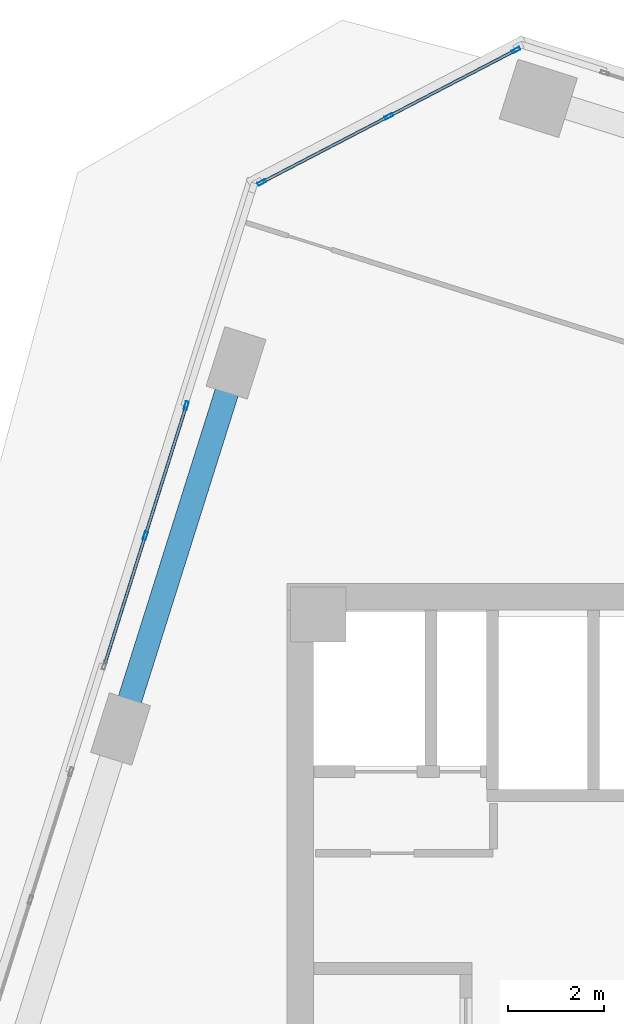
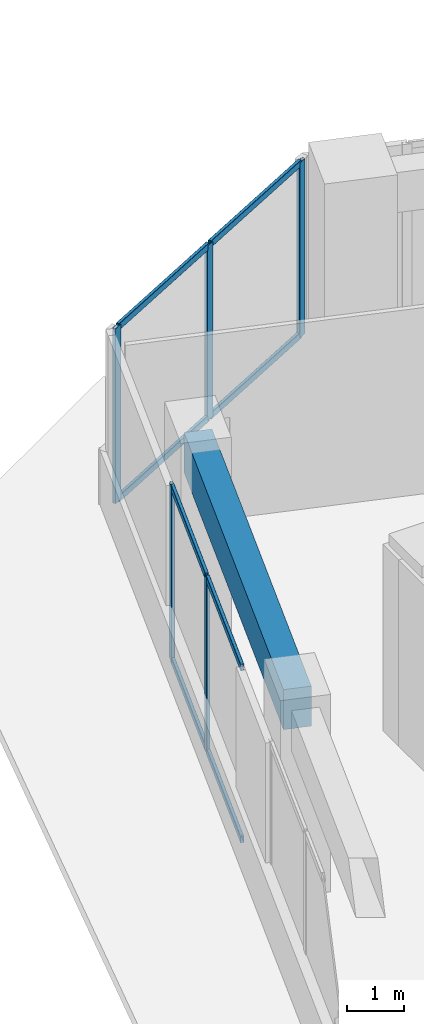
# One storey, part 13 of 28: 13 members, 1 beam, 2 elements without a shape of their own.
"""IFC4 building model written with IfcOpenShell, lengths in metres."""

from ifc_helpers import new_model, si_unit, direction, frame, origin, origin_2d, place, context, subcontext, project, spatial, rectangle, hollow_rectangle, extrude, source, transform, mapped, material, material_profile, profile_set, type_object, element, aggregate, save


model = new_model("IFC4")

# Units and contexts
model_context = context("Model", 3, precision=1e-05, world=origin(), true_north=direction((0.0, 1.0)))
body_context = subcontext(model_context, "Body", "Model", "MODEL_VIEW")
ifc_project = project(units=[si_unit("LENGTHUNIT", "METRE"), si_unit("AREAUNIT", "SQUARE_METRE"), si_unit("VOLUMEUNIT", "CUBIC_METRE"), si_unit("PLANEANGLEUNIT", "RADIAN"), si_unit("MASSUNIT", "GRAM", prefix="KILO")], contexts=[model_context])

# Site, building, storey
site_placement = place(None, origin())
site = spatial("IfcSite", under=ifc_project, at=site_placement, CompositionType="ELEMENT")
building_placement = place(site_placement, origin())
building = spatial("IfcBuilding", under=site, at=building_placement, Name="Torre Montelarca", CompositionType="ELEMENT")
storey_placement = place(building_placement, frame((0.0, 0.0, 112.60009765625)))
storey = spatial("IfcBuildingStorey", under=building, at=storey_placement, Name="L25", CompositionType="ELEMENT", Elevation=112.60009765625)

# Beam
ifc_material_1 = material(Name="Concrete C55/67", Category="concrete")
ifc_material_profile_1 = material_profile(ifc_material_1, rectangle(XDim=0.5, YDim=0.85009765625, at=origin_2d()), Name="RCB500X850", Category="concrete")
ifc_profile_set_1 = profile_set([ifc_material_profile_1], Name="Concrete C55/67")
beam_type = type_object("IfcBeamType", Name="BM-SP-RC850-EXT", PredefinedType="SPANDREL", material=ifc_profile_set_1)
shared_shape_1 = source(origin(), body_context, "Body", "SweptSolid", [
    extrude(rectangle(XDim=0.5, YDim=0.85009765625, at=origin_2d()), origin(), (0.0, 0.0, 1.0), 7.999755859375),
])
beam_placement = place(storey_placement, frame((5.429931640625, 37.06689453125, 3.534912109375), z_axis=(0.300694628035, 0.953720473027, 0.0), x_axis=(-0.953720473027, 0.300694628035, 0.0)))
element("IfcBeam", 1, at=beam_placement, inside=storey, type_object=beam_type, Name="L25 Grid Girder Y 32.0-40.0 at X=4.7", PredefinedType="SPANDREL", context=body_context, shape_type="MappedRepresentation", body=[
    mapped(shared_shape_1, transform((0.0, 0.0, 0.0), scale=1.0)),
])

# Curtain wall, members
ifc_material_2 = material(Name="Insulated low-E laminated glass", Category="glass")
curtain_wall_type = type_object("IfcCurtainWallType", Name="CW-SYS-Z1", PredefinedType="USERDEFINED", material=ifc_material_2)
curtain_wall_1_placement = place(storey_placement, origin())
curtain_wall_1 = element("IfcCurtainWall", 2, at=curtain_wall_1_placement, inside=storey, type_object=curtain_wall_type, Name="L25 Curtain Wall Run CW-T3-L25-E09-B1", ObjectType="UNITISED GLAZING", PredefinedType="USERDEFINED")
ifc_material_3 = material(Name="Anodised aluminium AA 6063-T6", Category="aluminium")
ifc_material_profile_2 = material_profile(ifc_material_3, hollow_rectangle(XDim=0.06494140625, YDim=0.139892578125, WallThickness=0.00390625, InnerFilletRadius=0.00390625, OuterFilletRadius=0.008056640625, at=origin_2d()), Name="ALU65X140X4", Category="aluminium")
ifc_profile_set_2 = profile_set([ifc_material_profile_2], Name="Anodised aluminium AA 6063-T6")
member_type_1 = type_object("IfcMemberType", Name="CWT-ALU140", PredefinedType="USERDEFINED", material=ifc_profile_set_2)
shared_shape_2 = source(origin(), body_context, "Body", "SweptSolid", [
    extrude(hollow_rectangle(XDim=0.06494140625, YDim=0.139892578125, WallThickness=0.00390625, InnerFilletRadius=0.00390625, OuterFilletRadius=0.008056640625, at=origin_2d()), origin(), (0.0, 0.0, 1.0), 2.918701171875),
])
member_1_placement = place(storey_placement, frame((13.6376953125, 51.197509765625, 0.032470703125), z_axis=(-0.887014019534, -0.461742492251, 0.0), x_axis=(0.461742492251, -0.887014019534, 0.0)))
member_1 = element("IfcMember", 3, at=member_1_placement, type_object=member_type_1, Name="CW transom 1.1", ObjectType="TRANSOM", PredefinedType="USERDEFINED", context=body_context, shape_type="MappedRepresentation", body=[
    mapped(shared_shape_2, transform((0.0, 0.0, 0.0), scale=1.0)),
])
member_2_placement = place(storey_placement, frame((13.6376953125, 51.197509765625, 3.6875), z_axis=(-0.887014019534, -0.461742492251, 0.0), x_axis=(0.461742492251, -0.887014019534, 0.0)))
member_2 = element("IfcMember", 4, at=member_2_placement, type_object=member_type_1, Name="CW transom 1.2", ObjectType="TRANSOM", PredefinedType="USERDEFINED", context=body_context, shape_type="MappedRepresentation", body=[
    mapped(shared_shape_2, transform((0.0, 0.0, 0.0), scale=1.0)),
])
shared_shape_3 = source(origin(), body_context, "Body", "SweptSolid", [
    extrude(hollow_rectangle(XDim=0.06494140625, YDim=0.139892578125, WallThickness=0.00390625, InnerFilletRadius=0.00390625, OuterFilletRadius=0.008056640625, at=origin_2d()), origin(), (0.0, 0.0, 1.0), 2.91845703125),
])
member_3_placement = place(storey_placement, frame((10.9912109375, 49.81982421875, 0.032470703125), z_axis=(-0.88704827871, -0.461676673916, 0.0), x_axis=(0.461676673916, -0.88704827871, 0.0)))
member_3 = element("IfcMember", 5, at=member_3_placement, type_object=member_type_1, Name="CW transom 2.1", ObjectType="TRANSOM", PredefinedType="USERDEFINED", context=body_context, shape_type="MappedRepresentation", body=[
    mapped(shared_shape_3, transform((0.0, 0.0, 0.0), scale=1.0)),
])
member_4_placement = place(storey_placement, frame((10.9912109375, 49.81982421875, 3.6875), z_axis=(-0.88704827871, -0.461676673916, 0.0), x_axis=(0.461676673916, -0.88704827871, 0.0)))
member_4 = element("IfcMember", 6, at=member_4_placement, type_object=member_type_1, Name="CW transom 2.2", ObjectType="TRANSOM", PredefinedType="USERDEFINED", context=body_context, shape_type="MappedRepresentation", body=[
    mapped(shared_shape_3, transform((0.0, 0.0, 0.0), scale=1.0)),
])

curtain_wall_2_placement = place(storey_placement, origin())
curtain_wall_2 = element("IfcCurtainWall", 7, at=curtain_wall_2_placement, inside=storey, type_object=curtain_wall_type, Name="L25 Curtain Wall Run CW-T3-L25-E10-B1", ObjectType="UNITISED GLAZING", PredefinedType="USERDEFINED")
shared_shape_4 = source(origin(), body_context, "Body", "SweptSolid", [
    extrude(hollow_rectangle(XDim=0.06494140625, YDim=0.139892578125, WallThickness=0.00390625, InnerFilletRadius=0.00390625, OuterFilletRadius=0.008056640625, at=origin_2d()), origin(), (0.0, 0.0, 1.0), 2.7724609375),
])
member_5_placement = place(storey_placement, frame((5.936279296875, 41.067138671875, 0.032470703125), z_axis=(-0.300730959774, -0.953709017381, 0.0), x_axis=(0.953709017381, -0.300730959774, 0.0)))
member_5 = element("IfcMember", 8, at=member_5_placement, type_object=member_type_1, Name="CW transom 2.1", ObjectType="TRANSOM", PredefinedType="USERDEFINED", context=body_context, shape_type="MappedRepresentation", body=[
    mapped(shared_shape_4, transform((0.0, 0.0, 0.0), scale=1.0)),
])
member_6_placement = place(storey_placement, frame((5.936279296875, 41.067138671875, 3.6875), z_axis=(-0.300730959774, -0.953709017381, 0.0), x_axis=(0.953709017381, -0.300730959774, 0.0)))
member_6 = element("IfcMember", 9, at=member_6_placement, type_object=member_type_1, Name="CW transom 2.2", ObjectType="TRANSOM", PredefinedType="USERDEFINED", context=body_context, shape_type="MappedRepresentation", body=[
    mapped(shared_shape_4, transform((0.0, 0.0, 0.0), scale=1.0)),
])
shared_shape_5 = source(origin(), body_context, "Body", "SweptSolid", [
    extrude(hollow_rectangle(XDim=0.06494140625, YDim=0.139892578125, WallThickness=0.00390625, InnerFilletRadius=0.00390625, OuterFilletRadius=0.008056640625, at=origin_2d()), origin(), (0.0, 0.0, 1.0), 2.772705078125),
])
member_7_placement = place(storey_placement, frame((6.78955078125, 43.7734375, 0.032470703125), z_axis=(-0.300705704807, -0.953716980606, 0.0), x_axis=(0.953716980606, -0.300705704807, 0.0)))
member_7 = element("IfcMember", 10, at=member_7_placement, type_object=member_type_1, Name="CW transom 1.1", ObjectType="TRANSOM", PredefinedType="USERDEFINED", context=body_context, shape_type="MappedRepresentation", body=[
    mapped(shared_shape_5, transform((0.0, 0.0, 0.0), scale=1.0)),
])
member_8_placement = place(storey_placement, frame((6.78955078125, 43.7734375, 3.6875), z_axis=(-0.300705704807, -0.953716980606, 0.0), x_axis=(0.953716980606, -0.300705704807, 0.0)))
member_8 = element("IfcMember", 11, at=member_8_placement, type_object=member_type_1, Name="CW transom 1.2", ObjectType="TRANSOM", PredefinedType="USERDEFINED", context=body_context, shape_type="MappedRepresentation", body=[
    mapped(shared_shape_5, transform((0.0, 0.0, 0.0), scale=1.0)),
])

# Member
ifc_material_profile_3 = material_profile(ifc_material_3, hollow_rectangle(XDim=0.06494140625, YDim=0.179931640625, WallThickness=0.00390625, InnerFilletRadius=0.00390625, OuterFilletRadius=0.008056640625, at=origin_2d()), Name="ALU65X180X4", Category="aluminium")
ifc_profile_set_3 = profile_set([ifc_material_profile_3], Name="Anodised aluminium AA 6063-T6")
member_type_2 = type_object("IfcMemberType", Name="CWM-ALU180", PredefinedType="MULLION", material=ifc_profile_set_3)
shared_shape_6 = source(origin(), body_context, "Body", "SweptSolid", [
    extrude(hollow_rectangle(XDim=0.06494140625, YDim=0.179931640625, WallThickness=0.00390625, InnerFilletRadius=0.00390625, OuterFilletRadius=0.008056640625, at=origin_2d()), origin(), (0.0, 0.0, 1.0), 3.719970703125),
])
member_9_placement = place(storey_placement, frame((13.66650390625, 51.212646484375, 0.0), z_axis=(0.0, 0.0, 1.0), x_axis=(0.461729026109, -0.887021029316, 0.0)))
member_9 = element("IfcMember", 12, at=member_9_placement, type_object=member_type_2, Name="CW mullion 1", PredefinedType="MULLION", context=body_context, shape_type="MappedRepresentation", body=[
    mapped(shared_shape_6, transform((0.0, 0.0, 0.0), scale=1.0)),
])

member_10_placement = place(storey_placement, frame((11.02001953125, 49.8349609375, 0.0), z_axis=(0.0, 0.0, 1.0), x_axis=(0.461729026109, -0.887021029316, 0.0)))
member_10 = element("IfcMember", 13, at=member_10_placement, type_object=member_type_2, Name="CW mullion 2", PredefinedType="MULLION", context=body_context, shape_type="MappedRepresentation", body=[
    mapped(shared_shape_6, transform((0.0, 0.0, 0.0), scale=1.0)),
])

member_11_placement = place(storey_placement, frame((8.37353515625, 48.457275390625, 0.0), z_axis=(0.0, 0.0, 1.0), x_axis=(0.461729026109, -0.887021029316, 0.0)))
member_11 = element("IfcMember", 14, at=member_11_placement, type_object=member_type_2, Name="CW mullion 3", PredefinedType="MULLION", context=body_context, shape_type="MappedRepresentation", body=[
    mapped(shared_shape_6, transform((0.0, 0.0, 0.0), scale=1.0)),
])

aggregate(curtain_wall_1, [member_9, member_10, member_11, member_1, member_2, member_3, member_4])

member_12_placement = place(storey_placement, frame((6.79931640625, 43.804443359375, 0.0), z_axis=(0.0, 0.0, 1.0), x_axis=(0.953718957259, -0.30069943559, 0.0)))
member_12 = element("IfcMember", 15, at=member_12_placement, type_object=member_type_2, Name="CW mullion 1", PredefinedType="MULLION", context=body_context, shape_type="MappedRepresentation", body=[
    mapped(shared_shape_6, transform((0.0, 0.0, 0.0), scale=1.0)),
])

member_13_placement = place(storey_placement, frame((5.946044921875, 41.09814453125, 0.0), z_axis=(0.0, 0.0, 1.0), x_axis=(0.953718957259, -0.30069943559, 0.0)))
member_13 = element("IfcMember", 16, at=member_13_placement, type_object=member_type_2, Name="CW mullion 2", PredefinedType="MULLION", context=body_context, shape_type="MappedRepresentation", body=[
    mapped(shared_shape_6, transform((0.0, 0.0, 0.0), scale=1.0)),
])

aggregate(curtain_wall_2, [member_12, member_13, member_7, member_8, member_5, member_6])

save(model, "model.ifc")
